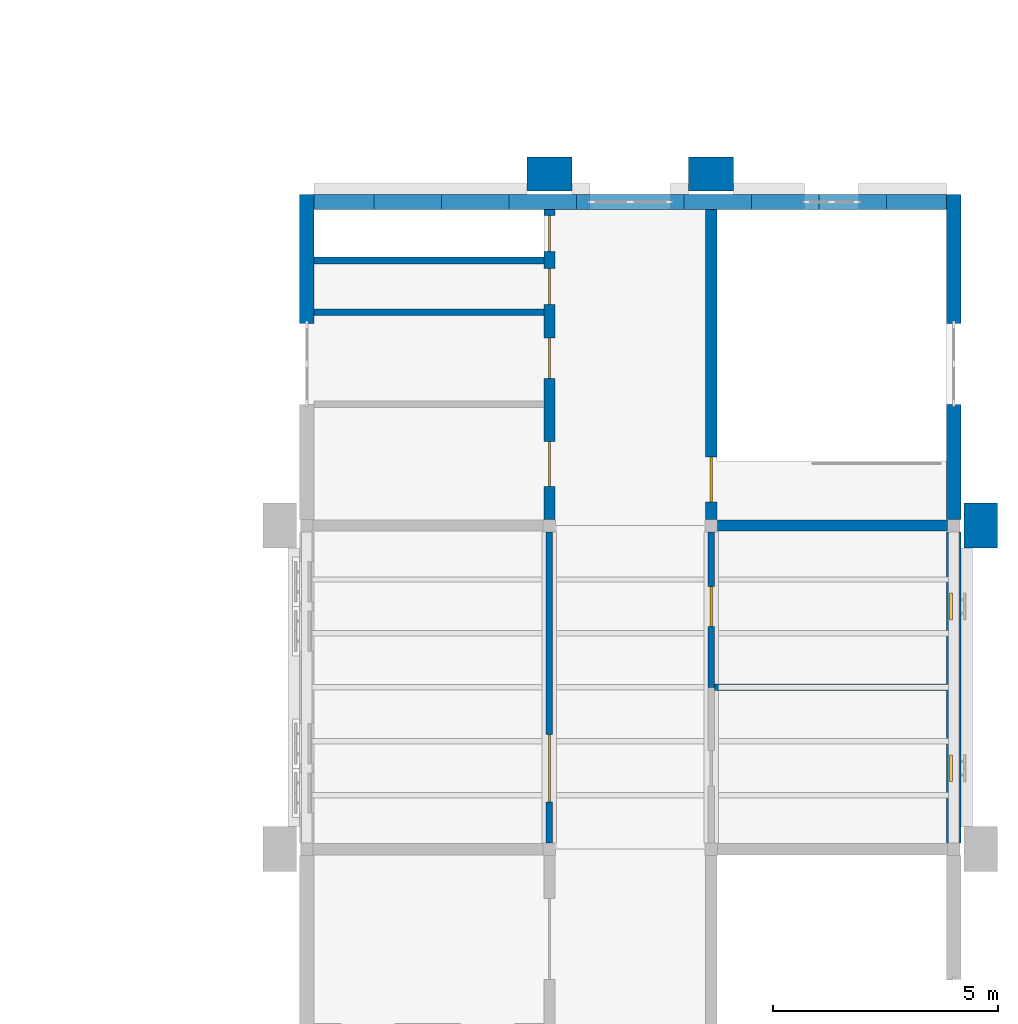
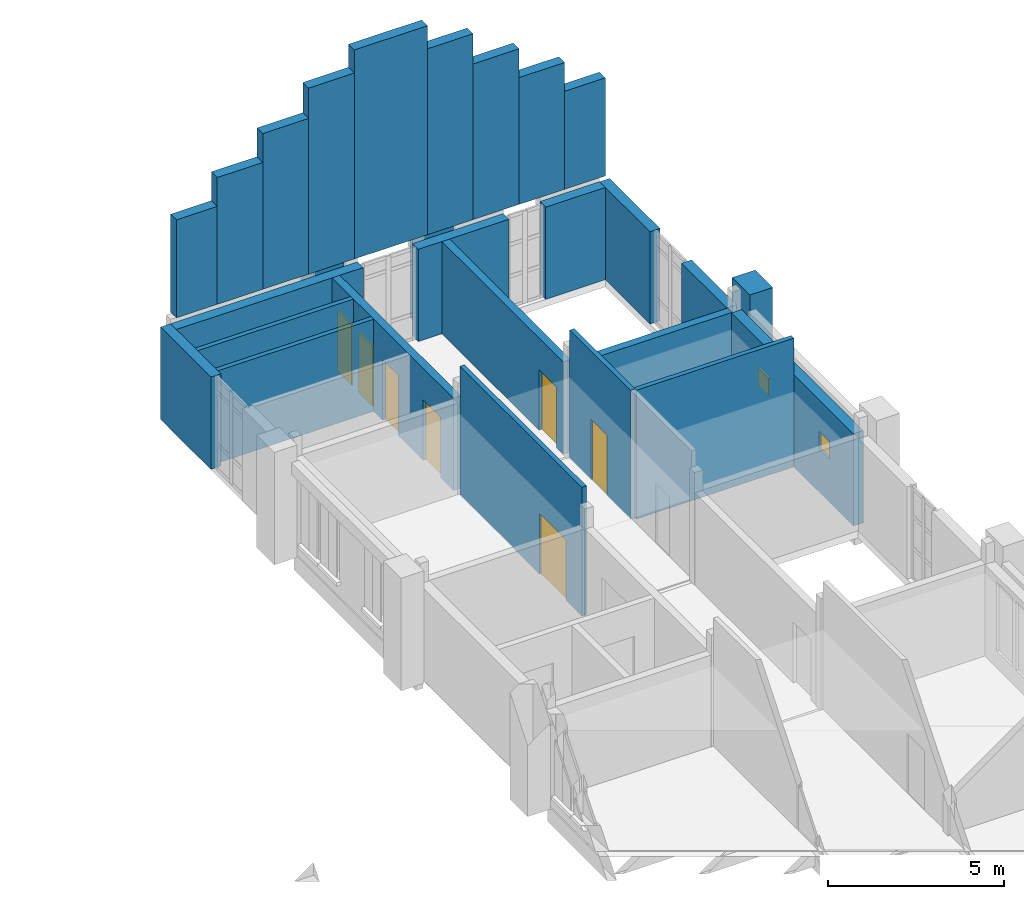
# One storey, part 48 of 71: 27 walls, 7 doors, 2 windows, 9 openings.
"""IFC4 building model written with IfcOpenShell, lengths in metres."""

from ifc_helpers import new_model, si_unit, direction, frame, frame_2d, origin, place, context, subcontext, project, spatial, rectangle, extrude, material, layer, layer_set, type_object, element, fill, save


model = new_model("IFC4")

# Units and contexts
model_context = context("Model", 3, precision=1e-05, world=origin(), true_north=direction((0.0, 1.0)))
body_context = subcontext(model_context, "Body", "Model", "MODEL_VIEW")
ifc_project = project(units=[si_unit("LENGTHUNIT", "METRE"), si_unit("AREAUNIT", "SQUARE_METRE"), si_unit("VOLUMEUNIT", "CUBIC_METRE"), si_unit("PLANEANGLEUNIT", "RADIAN"), si_unit("MASSUNIT", "GRAM", prefix="KILO")], contexts=[model_context])

# Site, building, storey
site_placement = place(None, origin())
site = spatial("IfcSite", under=ifc_project, at=site_placement, CompositionType="ELEMENT")
building_placement = place(site_placement, origin())
building = spatial("IfcBuilding", under=site, at=building_placement, Name="Mazhai Court Health Centre", CompositionType="ELEMENT")
storey_placement = place(building_placement, frame((0.0, 0.0, 10.199951171875)))
storey = spatial("IfcBuildingStorey", under=building, at=storey_placement, Name="L02", CompositionType="ELEMENT", Elevation=10.199951171875)

# Walls
ifc_material_1 = material(Name="Clay brick masonry", Category="masonry")
ifc_layer_1 = layer(ifc_material_1, 0.330078125)
ifc_layer_set_1 = layer_set([ifc_layer_1], Name="BRICK GABLE 330")
wall_type_1 = type_object("IfcWallType", Name="BRICK GABLE 330", PredefinedType="SOLIDWALL", material=ifc_layer_set_1)
wall_1_placement = place(storey_placement, frame((135.965087890625, 49.39990234375, 3.60009765625), z_axis=(0.0, 0.0, 1.0), x_axis=(1.0, 0.0, 0.0)))
element("IfcWall", 1, at=wall_1_placement, inside=storey, type_object=wall_type_1, Name="EG-V6-E0", PredefinedType="SOLIDWALL", context=body_context, shape_type="SweptSolid", body=[
    extrude(rectangle(XDim=1.3349609375, YDim=0.330078125, at=frame_2d((0.66748046875, 0.0))), origin(), (0.0, 0.0, 1.0), 3.39990234375),
])
wall_2_placement = place(storey_placement, frame((137.300048828125, 49.39990234375, 3.60009765625), z_axis=(0.0, 0.0, 1.0), x_axis=(1.0, 0.0, 0.0)))
element("IfcWall", 2, at=wall_2_placement, inside=storey, type_object=wall_type_1, Name="EG-V6-E1", PredefinedType="SOLIDWALL", context=body_context, shape_type="SweptSolid", body=[
    extrude(rectangle(XDim=1.5, YDim=0.330078125, at=frame_2d((0.75, 0.0))), origin(), (0.0, 0.0, 1.0), 4.39990234375),
])
wall_3_placement = place(storey_placement, frame((138.800048828125, 49.39990234375, 3.60009765625), z_axis=(0.0, 0.0, 1.0), x_axis=(1.0, 0.0, 0.0)))
element("IfcWall", 3, at=wall_3_placement, inside=storey, type_object=wall_type_1, Name="EG-V6-E2", PredefinedType="SOLIDWALL", context=body_context, shape_type="SweptSolid", body=[
    extrude(rectangle(XDim=1.5, YDim=0.330078125, at=frame_2d((0.75, 0.0))), origin(), (0.0, 0.0, 1.0), 5.39990234375),
])
wall_4_placement = place(storey_placement, frame((140.300048828125, 49.39990234375, 3.60009765625), z_axis=(0.0, 0.0, 1.0), x_axis=(1.0, 0.0, 0.0)))
element("IfcWall", 4, at=wall_4_placement, inside=storey, type_object=wall_type_1, Name="EG-V6-E3", PredefinedType="SOLIDWALL", context=body_context, shape_type="SweptSolid", body=[
    extrude(rectangle(XDim=1.5, YDim=0.330078125, at=frame_2d((0.75, 0.0))), origin(), (0.0, 0.0, 1.0), 6.449951171875),
])
wall_5_placement = place(storey_placement, frame((141.800048828125, 49.39990234375, 3.60009765625), z_axis=(0.0, 0.0, 1.0), x_axis=(1.0, 0.0, 0.0)))
element("IfcWall", 5, at=wall_5_placement, inside=storey, type_object=wall_type_1, Name="EG-V6-E4", PredefinedType="SOLIDWALL", context=body_context, shape_type="SweptSolid", body=[
    extrude(rectangle(XDim=2.39990234375, YDim=0.330078125, at=frame_2d((1.199951171875, 0.0))), origin(), (0.0, 0.0, 1.0), 7.25),
])
wall_6_placement = place(storey_placement, frame((144.199951171875, 49.39990234375, 3.60009765625), z_axis=(0.0, 0.0, 1.0), x_axis=(1.0, 0.0, 0.0)))
element("IfcWall", 6, at=wall_6_placement, inside=storey, type_object=wall_type_1, Name="EG-V6-E5", PredefinedType="SOLIDWALL", context=body_context, shape_type="SweptSolid", body=[
    extrude(rectangle(XDim=1.5, YDim=0.330078125, at=frame_2d((0.75, 0.0))), origin(), (0.0, 0.0, 1.0), 6.449951171875),
])
wall_7_placement = place(storey_placement, frame((145.699951171875, 49.39990234375, 3.60009765625), z_axis=(0.0, 0.0, 1.0), x_axis=(1.0, 0.0, 0.0)))
element("IfcWall", 7, at=wall_7_placement, inside=storey, type_object=wall_type_1, Name="EG-V6-E6", PredefinedType="SOLIDWALL", context=body_context, shape_type="SweptSolid", body=[
    extrude(rectangle(XDim=1.5, YDim=0.330078125, at=frame_2d((0.75, 0.0))), origin(), (0.0, 0.0, 1.0), 5.39990234375),
])
wall_8_placement = place(storey_placement, frame((147.199951171875, 49.39990234375, 3.60009765625), z_axis=(0.0, 0.0, 1.0), x_axis=(1.0, 0.0, 0.0)))
element("IfcWall", 8, at=wall_8_placement, inside=storey, type_object=wall_type_1, Name="EG-V6-E7", PredefinedType="SOLIDWALL", context=body_context, shape_type="SweptSolid", body=[
    extrude(rectangle(XDim=1.5, YDim=0.330078125, at=frame_2d((0.75, 0.0))), origin(), (0.0, 0.0, 1.0), 4.39990234375),
])
wall_9_placement = place(storey_placement, frame((148.699951171875, 49.39990234375, 3.60009765625), z_axis=(0.0, 0.0, 1.0), x_axis=(1.0, 0.0, 0.0)))
element("IfcWall", 9, at=wall_9_placement, inside=storey, type_object=wall_type_1, Name="EG-V6-E8", PredefinedType="SOLIDWALL", context=body_context, shape_type="SweptSolid", body=[
    extrude(rectangle(XDim=1.3349609375, YDim=0.330078125, at=frame_2d((0.66748046875, 0.0))), origin(), (0.0, 0.0, 1.0), 3.39990234375),
])
ifc_material_2 = material(Name="Clay brick masonry", Category="masonry")
ifc_layer_2 = layer(ifc_material_2, 0.75)
ifc_layer_set_2 = layer_set([ifc_layer_2], Name="BRICK PIER 750")
wall_type_2 = type_object("IfcWallType", Name="BRICK PIER 750", PredefinedType="SOLIDWALL", material=ifc_layer_set_2)
for number, where, z_axis, x_axis, name in (
    (10, (150.800048828125, 42.699951171875, 0.0), (0.0, 0.0, 1.0), (0.0, -1.0, 0.0), "EP-V6-L02-B5"),
    (11, (140.699951171875, 50.02490234375, 0.0), (0.0, 0.0, 1.0), (1.0, 0.0, 0.0), "EP-V6-L02-E54"),
    (12, (144.300048828125, 50.02490234375, 0.0), (0.0, 0.0, 1.0), (1.0, 0.0, 0.0), "EP-V6-L02-E90"),
):
    element("IfcWall", number, at=place(storey_placement, frame(where, z_axis=z_axis, x_axis=x_axis)), inside=storey, type_object=wall_type_2, Name=name, PredefinedType="SOLIDWALL", context=body_context, shape_type="SweptSolid", body=[
        extrude(rectangle(XDim=1.0, YDim=0.75, at=frame_2d((0.5, 0.0))), origin(), (0.0, 0.0, 1.0), 3.900146484375),
    ])
ifc_material_3 = material(Name="Clay brick masonry", Category="masonry")
ifc_layer_3 = layer(ifc_material_3, 0.330078125)
ifc_layer_set_3 = layer_set([ifc_layer_3], Name="BRICK WALL 330 EXTERNAL")
wall_type_3 = type_object("IfcWallType", Name="BRICK WALL 330 EXTERNAL", PredefinedType="SOLIDWALL", material=ifc_layer_set_3)
wall_10_placement = place(storey_placement, frame((135.800048828125, 46.699951171875, 0.0), z_axis=(0.0, 0.0, 1.0), x_axis=(0.0, 1.0, 0.0)))
element("IfcWall", 13, at=wall_10_placement, inside=storey, type_object=wall_type_3, Name="EW-V6-L02-A5b", PredefinedType="SOLIDWALL", context=body_context, shape_type="SweptSolid", body=[
    extrude(rectangle(XDim=2.864990234375, YDim=0.330078125, at=frame_2d((1.4326171875, 0.0))), origin(), (0.0, 0.0, 1.0), 3.199951171875),
])

# Wall, openings, windows
wall_11_placement = place(storey_placement, frame((150.199951171875, 42.06005859375, 0.0), z_axis=(0.0, 0.0, 1.0), x_axis=(0.0, -1.0, 0.0)))
wall_11 = element("IfcWall", 14, at=wall_11_placement, inside=storey, type_object=wall_type_3, Name="EW-V6-L02-B4p0", PredefinedType="SOLIDWALL", context=body_context, shape_type="SweptSolid", body=[
    extrude(rectangle(XDim=6.920166015625, YDim=0.330078125, at=frame_2d((3.4599609375, 0.0))), origin(), (0.0, 0.0, 1.0), 3.199951171875),
])
opening_1_placement = place(wall_11_placement, frame((4.9599609375, 0.0, 1.5)))
opening_1 = element("IfcOpeningElement", 15, at=opening_1_placement, cuts=wall_11, Name="Opening W5", PredefinedType="OPENING", context=body_context, shape_type="SweptSolid", body=[
    extrude(rectangle(XDim=0.60009765625, YDim=0.60009765625, at=frame_2d((0.300048828125, 0.300048828125))), frame((0.0, 0.175048828125, 0.0), z_axis=(0.0, -1.0, 0.0), x_axis=(1.0, 0.0, 0.0)), (0.0, 0.0, 1.0), 0.35009765625),
])
opening_2_placement = place(wall_11_placement, frame((1.360107421875, 0.0, 1.5)))
opening_2 = element("IfcOpeningElement", 16, at=opening_2_placement, cuts=wall_11, Name="Opening W5", PredefinedType="OPENING", context=body_context, shape_type="SweptSolid", body=[
    extrude(rectangle(XDim=0.60009765625, YDim=0.60009765625, at=frame_2d((0.300048828125, 0.300048828125))), frame((0.0, 0.175048828125, 0.0), z_axis=(0.0, -1.0, 0.0), x_axis=(1.0, 0.0, 0.0)), (0.0, 0.0, 1.0), 0.35009765625),
])
ifc_material_4 = material(Name="Teak timber frame, glazed", Category="wood")
window_type = type_object("IfcWindowType", Name="WINDOW HIGH LEVEL 600x600", PartitioningType="SINGLE_PANEL", PredefinedType="WINDOW", material=ifc_material_4)
window_1_placement = place(opening_1_placement, origin())
window_1 = element("IfcWindow", 17, at=window_1_placement, inside=storey, type_object=window_type, Name="W5 WN-V6-L02-B40", OverallHeight=0.60009765625, OverallWidth=0.60009765625, PartitioningType="SINGLE_PANEL", PredefinedType="WINDOW", context=body_context, shape_type="SweptSolid", body=[
    extrude(rectangle(XDim=0.60009765625, YDim=0.60009765625, at=frame_2d((0.300048828125, 0.300048828125))), frame((0.0, -0.030029296875, 0.0), z_axis=(0.0, -1.0, 0.0), x_axis=(1.0, 0.0, 0.0)), (0.0, 0.0, 1.0), 0.06005859375),
])
fill(opening_1, window_1)
window_2_placement = place(opening_2_placement, origin())
window_2 = element("IfcWindow", 18, at=window_2_placement, inside=storey, type_object=window_type, Name="W5 WN-V6-L02-B41", OverallHeight=0.60009765625, OverallWidth=0.60009765625, PartitioningType="SINGLE_PANEL", PredefinedType="WINDOW", context=body_context, shape_type="SweptSolid", body=[
    extrude(rectangle(XDim=0.60009765625, YDim=0.60009765625, at=frame_2d((0.300048828125, 0.300048828125))), frame((0.0, -0.030029296875, 0.0), z_axis=(0.0, -1.0, 0.0), x_axis=(1.0, 0.0, 0.0)), (0.0, 0.0, 1.0), 0.06005859375),
])
fill(opening_2, window_2)

# Walls
wall_12_placement = place(storey_placement, frame((150.199951171875, 44.89990234375, 0.0), z_axis=(0.0, 0.0, 1.0), x_axis=(0.0, -1.0, 0.0)))
element("IfcWall", 19, at=wall_12_placement, inside=storey, type_object=wall_type_3, Name="EW-V6-L02-B5a", PredefinedType="SOLIDWALL", context=body_context, shape_type="SweptSolid", body=[
    extrude(rectangle(XDim=2.559814453125, YDim=0.330078125, at=frame_2d((1.27978515625, 0.0))), origin(), (0.0, 0.0, 1.0), 3.199951171875),
])
wall_13_placement = place(storey_placement, frame((150.199951171875, 49.56494140625, 0.0), z_axis=(0.0, 0.0, 1.0), x_axis=(0.0, -1.0, 0.0)))
element("IfcWall", 20, at=wall_13_placement, inside=storey, type_object=wall_type_3, Name="EW-V6-L02-B5b", PredefinedType="SOLIDWALL", context=body_context, shape_type="SweptSolid", body=[
    extrude(rectangle(XDim=2.864990234375, YDim=0.330078125, at=frame_2d((1.4326171875, 0.0))), origin(), (0.0, 0.0, 1.0), 3.199951171875),
])
wall_14_placement = place(storey_placement, frame((135.965087890625, 49.39990234375, 0.0), z_axis=(0.0, 0.0, 1.0), x_axis=(1.0, 0.0, 0.0)))
element("IfcWall", 21, at=wall_14_placement, inside=storey, type_object=wall_type_3, Name="EW-V6-L02-Ep0", PredefinedType="SOLIDWALL", context=body_context, shape_type="SweptSolid", body=[
    extrude(rectangle(XDim=6.135009765625, YDim=0.330078125, at=frame_2d((3.0673828125, 0.0))), origin(), (0.0, 0.0, 1.0), 3.199951171875),
])
wall_15_placement = place(storey_placement, frame((143.89990234375, 49.39990234375, 0.0), z_axis=(0.0, 0.0, 1.0), x_axis=(1.0, 0.0, 0.0)))
element("IfcWall", 22, at=wall_15_placement, inside=storey, type_object=wall_type_3, Name="EW-V6-L02-Ep1", PredefinedType="SOLIDWALL", context=body_context, shape_type="SweptSolid", body=[
    extrude(rectangle(XDim=2.97998046875, YDim=0.330078125, at=frame_2d((1.489990234375, 0.0))), origin(), (0.0, 0.0, 1.0), 3.199951171875),
])
wall_16_placement = place(storey_placement, frame((148.080078125, 49.39990234375, 0.0), z_axis=(0.0, 0.0, 1.0), x_axis=(1.0, 0.0, 0.0)))
element("IfcWall", 23, at=wall_16_placement, inside=storey, type_object=wall_type_3, Name="EW-V6-L02-Ep2", PredefinedType="SOLIDWALL", context=body_context, shape_type="SweptSolid", body=[
    extrude(rectangle(XDim=1.954833984375, YDim=0.330078125, at=frame_2d((0.9775390625, 0.0))), origin(), (0.0, 0.0, 1.0), 3.199951171875),
])

# Wall, opening, door
ifc_material_5 = material(Name="Gypsum plasterboard partition")
ifc_layer_4 = layer(ifc_material_5, 0.14990234375)
ifc_layer_set_4 = layer_set([ifc_layer_4], Name="PARTITION 150 CORRIDOR EI60")
wall_type_4 = type_object("IfcWallType", Name="PARTITION 150 CORRIDOR EI60", PredefinedType="PARTITIONING", material=ifc_layer_set_4)
wall_17_placement = place(storey_placement, frame((141.199951171875, 35.139892578125, 0.0), z_axis=(0.0, 0.0, 1.0), x_axis=(0.0, 1.0, 0.0)))
wall_17 = element("IfcWall", 24, at=wall_17_placement, inside=storey, type_object=wall_type_4, Name="wall-V6-L02-A1-corr-0a", PredefinedType="PARTITIONING", context=body_context, shape_type="SweptSolid", body=[
    extrude(rectangle(XDim=6.920166015625, YDim=0.14990234375, at=frame_2d((3.4599609375, 0.0))), origin(), (0.0, 0.0, 1.0), 4.466552734375),
])
opening_3_placement = place(wall_17_placement, frame((0.909912109375, 0.0, 0.0)))
opening_3 = element("IfcOpeningElement", 25, at=opening_3_placement, cuts=wall_17, Name="Opening D-L02-060", PredefinedType="OPENING", context=body_context, shape_type="SweptSolid", body=[
    extrude(rectangle(XDim=1.5, YDim=2.10009765625, at=frame_2d((0.75, 1.050048828125))), frame((0.0, 0.0849609375, 0.0), z_axis=(0.0, -1.0, 0.0), x_axis=(1.0, 0.0, 0.0)), (0.0, 0.0, 1.0), 0.169921875),
])
ifc_material_6 = material(Name="Hardwood door leaf", Category="wood")
door_type_1 = type_object("IfcDoorType", Name="DOOR 1500x2100 FD30S DOUBLE", OperationType="NOTDEFINED", PredefinedType="DOOR", material=ifc_material_6)
door_1_placement = place(opening_3_placement, origin())
door_1 = element("IfcDoor", 26, at=door_1_placement, inside=storey, type_object=door_type_1, Name="door-V6-L02-A1-nutrition-demonstration-kitchen", OperationType="DOUBLE_DOOR_SINGLE_SWING", OverallHeight=2.10009765625, OverallWidth=1.5, PredefinedType="DOOR", context=body_context, shape_type="SweptSolid", body=[
    extrude(rectangle(XDim=1.5, YDim=2.10009765625, at=frame_2d((0.75, 1.050048828125))), frame((0.0, 0.02490234375, 0.0), z_axis=(0.0, -1.0, 0.0), x_axis=(1.0, 0.0, 0.0)), (0.0, 0.0, 1.0), 0.050048828125),
])
fill(opening_3, door_1)

wall_18_placement = place(storey_placement, frame((144.800048828125, 38.60009765625, 0.0), z_axis=(0.0, 0.0, 1.0), x_axis=(0.0, 1.0, 0.0)))
wall_18 = element("IfcWall", 27, at=wall_18_placement, inside=storey, type_object=wall_type_4, Name="wall-V6-L02-B1-corr-1a", PredefinedType="PARTITIONING", context=body_context, shape_type="SweptSolid", body=[
    extrude(rectangle(XDim=3.4599609375, YDim=0.14990234375, at=frame_2d((1.72998046875, 0.0))), origin(), (0.0, 0.0, 1.0), 4.466552734375),
])
opening_4_placement = place(wall_18_placement, frame((1.35009765625, 0.0, 0.0)))
opening_4 = element("IfcOpeningElement", 28, at=opening_4_placement, cuts=wall_18, Name="Opening D-L02-074", PredefinedType="OPENING", context=body_context, shape_type="SweptSolid", body=[
    extrude(rectangle(XDim=0.89990234375, YDim=2.10009765625, at=frame_2d((0.449951171875, 1.050048828125))), frame((0.0, 0.0849609375, 0.0), z_axis=(0.0, -1.0, 0.0), x_axis=(1.0, 0.0, 0.0)), (0.0, 0.0, 1.0), 0.169921875),
])
ifc_material_7 = material(Name="Hardwood door leaf", Category="wood")
door_type_2 = type_object("IfcDoorType", Name="DOOR 900x2100 FD30S SINGLE", OperationType="NOTDEFINED", PredefinedType="DOOR", material=ifc_material_7)
door_2_placement = place(opening_4_placement, origin())
door_2 = element("IfcDoor", 29, at=door_2_placement, inside=storey, type_object=door_type_2, Name="door-V6-L02-B1-accessible-wc", OperationType="SINGLE_SWING_RIGHT", OverallHeight=2.10009765625, OverallWidth=0.89990234375, PredefinedType="DOOR", context=body_context, shape_type="SweptSolid", body=[
    extrude(rectangle(XDim=0.89990234375, YDim=2.10009765625, at=frame_2d((0.449951171875, 1.050048828125))), frame((0.0, 0.02490234375, 0.0), z_axis=(0.0, -1.0, 0.0), x_axis=(1.0, 0.0, 0.0)), (0.0, 0.0, 1.0), 0.050048828125),
])
fill(opening_4, door_2)

# Wall
ifc_material_8 = material(Name="Gypsum plasterboard partition")
ifc_layer_5 = layer(ifc_material_8, 0.14990234375)
ifc_layer_set_5 = layer_set([ifc_layer_5], Name="PARTITION 150 WET AREA EI30")
wall_type_5 = type_object("IfcWallType", Name="PARTITION 150 WET AREA EI30", PredefinedType="PARTITIONING", material=ifc_layer_set_5)
wall_19_placement = place(storey_placement, frame((150.034912109375, 38.60009765625, 0.0), z_axis=(0.0, 0.0, 1.0), x_axis=(-1.0, 0.0, 0.0)))
element("IfcWall", 30, at=wall_19_placement, inside=storey, type_object=wall_type_5, Name="wall-V6-L02-B1-cross-1a", PredefinedType="PARTITIONING", context=body_context, shape_type="SweptSolid", body=[
    extrude(rectangle(XDim=5.159912109375, YDim=0.14990234375, at=frame_2d((2.580078125, 0.0))), origin(), (0.0, 0.0, 1.0), 4.466552734375),
])

# Wall, opening, door
ifc_material_9 = material(Name="Concrete M40", Category="concrete")
ifc_layer_6 = layer(ifc_material_9, 0.25)
ifc_layer_set_6 = layer_set([ifc_layer_6], Name="RC CORE WALL 250 M40")
wall_type_6 = type_object("IfcWallType", Name="RC CORE WALL 250 M40", PredefinedType="SHEAR", material=ifc_layer_set_6)
wall_20_placement = place(storey_placement, frame((144.800048828125, 42.340087890625, 0.0), z_axis=(0.0, 0.0, 1.0), x_axis=(0.0, 1.0, 0.0)))
wall_20 = element("IfcWall", 31, at=wall_20_placement, inside=storey, type_object=wall_type_6, Name="core-C10-w-stair-corr-L02", PredefinedType="SHEAR", context=body_context, shape_type="SweptSolid", body=[
    extrude(rectangle(XDim=6.89501953125, YDim=0.25, at=frame_2d((3.447509765625, 0.0))), origin(), (0.0, 0.0, 1.0), 3.199951171875),
])
opening_5_placement = place(wall_20_placement, frame((0.385009765625, 0.0, 0.0)))
opening_5 = element("IfcOpeningElement", 32, at=opening_5_placement, cuts=wall_20, Name="Opening D-L02-075", PredefinedType="OPENING", context=body_context, shape_type="SweptSolid", body=[
    extrude(rectangle(XDim=1.0, YDim=2.10009765625, at=frame_2d((0.5, 1.050048828125))), frame((0.0, 0.135009765625, 0.0), z_axis=(0.0, -1.0, 0.0), x_axis=(1.0, 0.0, 0.0)), (0.0, 0.0, 1.0), 0.27001953125),
])
ifc_material_10 = material(Name="Steel fire door leaf", Category="steel")
door_type_3 = type_object("IfcDoorType", Name="FD120S STAIR DOOR 1000x2100", OperationType="SINGLE_SWING_LEFT", PredefinedType="DOOR", material=ifc_material_10)
door_3_placement = place(opening_5_placement, origin())
door_3 = element("IfcDoor", 33, at=door_3_placement, inside=storey, type_object=door_type_3, Name="Stair 10 door L02", OperationType="SINGLE_SWING_RIGHT", OverallHeight=2.10009765625, OverallWidth=1.0, PredefinedType="DOOR", context=body_context, shape_type="SweptSolid", body=[
    extrude(rectangle(XDim=1.0, YDim=2.10009765625, at=frame_2d((0.5, 1.050048828125))), frame((0.0, 0.02490234375, 0.0), z_axis=(0.0, -1.0, 0.0), x_axis=(1.0, 0.0, 0.0)), (0.0, 0.0, 1.0), 0.050048828125),
])
fill(opening_5, door_3)

# Wall
wall_21_placement = place(storey_placement, frame((144.93994140625, 42.199951171875, 0.0), z_axis=(0.0, 0.0, 1.0), x_axis=(1.0, 0.0, 0.0)))
element("IfcWall", 34, at=wall_21_placement, inside=storey, type_object=wall_type_6, Name="core-C10-w-stair-line0-L02", PredefinedType="SHEAR", context=body_context, shape_type="SweptSolid", body=[
    extrude(rectangle(XDim=5.1201171875, YDim=0.25, at=frame_2d((2.56005859375, 0.0))), origin(), (0.0, 0.0, 1.0), 3.199951171875),
])

# Wall, openings, doors
wall_22_placement = place(storey_placement, frame((141.199951171875, 42.340087890625, 0.0), z_axis=(0.0, 0.0, 1.0), x_axis=(0.0, 1.0, 0.0)))
wall_22 = element("IfcWall", 35, at=wall_22_placement, inside=storey, type_object=wall_type_6, Name="core-C10-w-other-corr-L02", PredefinedType="SHEAR", context=body_context, shape_type="SweptSolid", body=[
    extrude(rectangle(XDim=6.89501953125, YDim=0.25, at=frame_2d((3.447509765625, 0.0))), origin(), (0.0, 0.0, 1.0), 3.199951171875),
])
opening_6_placement = place(wall_22_placement, frame((0.735107421875, 0.0, 0.0)))
opening_6 = element("IfcOpeningElement", 36, at=opening_6_placement, cuts=wall_22, Name="Opening D-L02-061", PredefinedType="OPENING", context=body_context, shape_type="SweptSolid", body=[
    extrude(rectangle(XDim=1.0, YDim=2.10009765625, at=frame_2d((0.5, 1.050048828125))), frame((0.0, 0.135009765625, 0.0), z_axis=(0.0, -1.0, 0.0), x_axis=(1.0, 0.0, 0.0)), (0.0, 0.0, 1.0), 0.27001953125),
])
opening_7_placement = place(wall_22_placement, frame((3.135009765625, 0.0, 0.0)))
opening_7 = element("IfcOpeningElement", 37, at=opening_7_placement, cuts=wall_22, Name="Opening D-L02-062", PredefinedType="OPENING", context=body_context, shape_type="SweptSolid", body=[
    extrude(rectangle(XDim=0.89990234375, YDim=2.10009765625, at=frame_2d((0.449951171875, 1.050048828125))), frame((0.0, 0.135009765625, 0.0), z_axis=(0.0, -1.0, 0.0), x_axis=(1.0, 0.0, 0.0)), (0.0, 0.0, 1.0), 0.27001953125),
])
opening_8_placement = place(wall_22_placement, frame((4.784912109375, 0.0, 0.0)))
opening_8 = element("IfcOpeningElement", 38, at=opening_8_placement, cuts=wall_22, Name="Opening D-L02-063", PredefinedType="OPENING", context=body_context, shape_type="SweptSolid", body=[
    extrude(rectangle(XDim=0.800048828125, YDim=2.10009765625, at=frame_2d((0.39990234375, 1.050048828125))), frame((0.0, 0.135009765625, 0.0), z_axis=(0.0, -1.0, 0.0), x_axis=(1.0, 0.0, 0.0)), (0.0, 0.0, 1.0), 0.27001953125),
])
opening_9_placement = place(wall_22_placement, frame((5.965087890625, 0.0, 0.0)))
opening_9 = element("IfcOpeningElement", 39, at=opening_9_placement, cuts=wall_22, Name="Opening D-L02-064", PredefinedType="OPENING", context=body_context, shape_type="SweptSolid", body=[
    extrude(rectangle(XDim=0.800048828125, YDim=2.10009765625, at=frame_2d((0.39990234375, 1.050048828125))), frame((0.0, 0.135009765625, 0.0), z_axis=(0.0, -1.0, 0.0), x_axis=(1.0, 0.0, 0.0)), (0.0, 0.0, 1.0), 0.27001953125),
])
ifc_material_11 = material(Name="Timber door leaf", Category="wood")
door_type_4 = type_object("IfcDoorType", Name="ACCESSIBLE WC DOOR 1000x2100", OperationType="SINGLE_SWING_RIGHT", PredefinedType="DOOR", material=ifc_material_11)
door_4_placement = place(opening_6_placement, origin())
door_4 = element("IfcDoor", 40, at=door_4_placement, inside=storey, type_object=door_type_4, Name="Accessible WC door L02", OperationType="SINGLE_SWING_LEFT", OverallHeight=2.10009765625, OverallWidth=1.0, PredefinedType="DOOR", context=body_context, shape_type="SweptSolid", body=[
    extrude(rectangle(XDim=1.0, YDim=2.10009765625, at=frame_2d((0.5, 1.050048828125))), frame((0.0, 0.02490234375, 0.0), z_axis=(0.0, -1.0, 0.0), x_axis=(1.0, 0.0, 0.0)), (0.0, 0.0, 1.0), 0.050048828125),
])
fill(opening_6, door_4)
ifc_material_12 = material(Name="Timber door leaf", Category="wood")
door_type_5 = type_object("IfcDoorType", Name="CLEANER STORE DOOR 800x2100", OperationType="SINGLE_SWING_LEFT", PredefinedType="DOOR", material=ifc_material_12)
door_5_placement = place(opening_8_placement, origin())
door_5 = element("IfcDoor", 41, at=door_5_placement, inside=storey, type_object=door_type_5, Name="Cleaner door L02", OperationType="SINGLE_SWING_LEFT", OverallHeight=2.10009765625, OverallWidth=0.800048828125, PredefinedType="DOOR", context=body_context, shape_type="SweptSolid", body=[
    extrude(rectangle(XDim=0.800048828125, YDim=2.10009765625, at=frame_2d((0.39990234375, 1.050048828125))), frame((0.0, 0.02490234375, 0.0), z_axis=(0.0, -1.0, 0.0), x_axis=(1.0, 0.0, 0.0)), (0.0, 0.0, 1.0), 0.050048828125),
])
fill(opening_8, door_5)
ifc_material_13 = material(Name="Steel fire door leaf", Category="steel")
door_type_6 = type_object("IfcDoorType", Name="FD60S RISER DOOR 800x2100", OperationType="SINGLE_SWING_LEFT", PredefinedType="DOOR", material=ifc_material_13)
door_6_placement = place(opening_9_placement, origin())
door_6 = element("IfcDoor", 42, at=door_6_placement, inside=storey, type_object=door_type_6, Name="Riser door L02", OperationType="SINGLE_SWING_LEFT", OverallHeight=2.10009765625, OverallWidth=0.800048828125, PredefinedType="DOOR", context=body_context, shape_type="SweptSolid", body=[
    extrude(rectangle(XDim=0.800048828125, YDim=2.10009765625, at=frame_2d((0.39990234375, 1.050048828125))), frame((0.0, 0.02490234375, 0.0), z_axis=(0.0, -1.0, 0.0), x_axis=(1.0, 0.0, 0.0)), (0.0, 0.0, 1.0), 0.050048828125),
])
fill(opening_9, door_6)
ifc_material_14 = material(Name="Timber door leaf", Category="wood")
door_type_7 = type_object("IfcDoorType", Name="WC DOOR 900x2100", OperationType="SINGLE_SWING_LEFT", PredefinedType="DOOR", material=ifc_material_14)
door_7_placement = place(opening_7_placement, origin())
door_7 = element("IfcDoor", 43, at=door_7_placement, inside=storey, type_object=door_type_7, Name="WC door L02", OperationType="SINGLE_SWING_LEFT", OverallHeight=2.10009765625, OverallWidth=0.89990234375, PredefinedType="DOOR", context=body_context, shape_type="SweptSolid", body=[
    extrude(rectangle(XDim=0.89990234375, YDim=2.10009765625, at=frame_2d((0.449951171875, 1.050048828125))), frame((0.0, 0.02490234375, 0.0), z_axis=(0.0, -1.0, 0.0), x_axis=(1.0, 0.0, 0.0)), (0.0, 0.0, 1.0), 0.050048828125),
])
fill(opening_7, door_7)

# Walls
ifc_material_15 = material(Name="Concrete M25", Category="concrete")
ifc_layer_7 = layer(ifc_material_15, 0.14990234375)
ifc_layer_set_7 = layer_set([ifc_layer_7], Name="RC SERVICE ROOM WALL 150 M25")
wall_type_7 = type_object("IfcWallType", Name="RC SERVICE ROOM WALL 150 M25", PredefinedType="PARTITIONING", material=ifc_layer_set_7)
for number, where, z_axis, x_axis, name in (
    (44, (135.965087890625, 46.949951171875, 0.0), (0.0, 0.0, 1.0), (1.0, 0.0, 0.0), "core-C10-w-room1-L02"),
    (45, (135.965087890625, 48.10009765625, 0.0), (0.0, 0.0, 1.0), (1.0, 0.0, 0.0), "core-C10-w-room2-L02"),
):
    element("IfcWall", number, at=place(storey_placement, frame(where, z_axis=z_axis, x_axis=x_axis)), inside=storey, type_object=wall_type_7, Name=name, PredefinedType="PARTITIONING", context=body_context, shape_type="SweptSolid", body=[
        extrude(rectangle(XDim=5.10986328125, YDim=0.14990234375, at=frame_2d((2.554931640625, 0.0))), origin(), (0.0, 0.0, 1.0), 3.199951171875),
    ])

save(model, "model.ifc")
